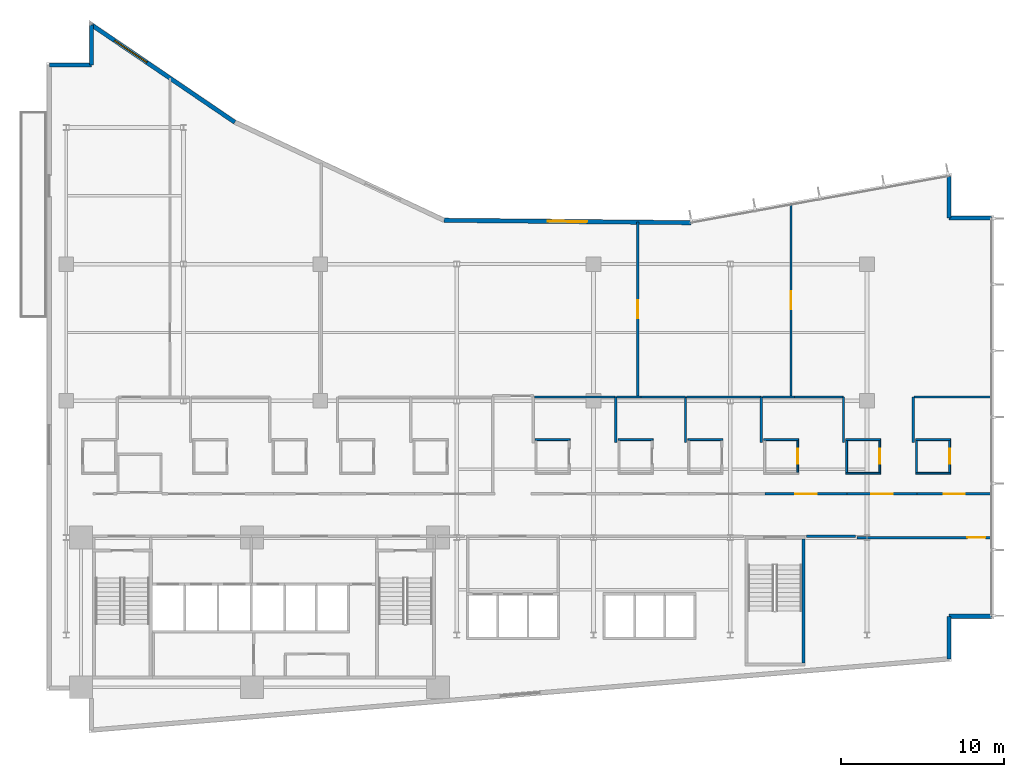
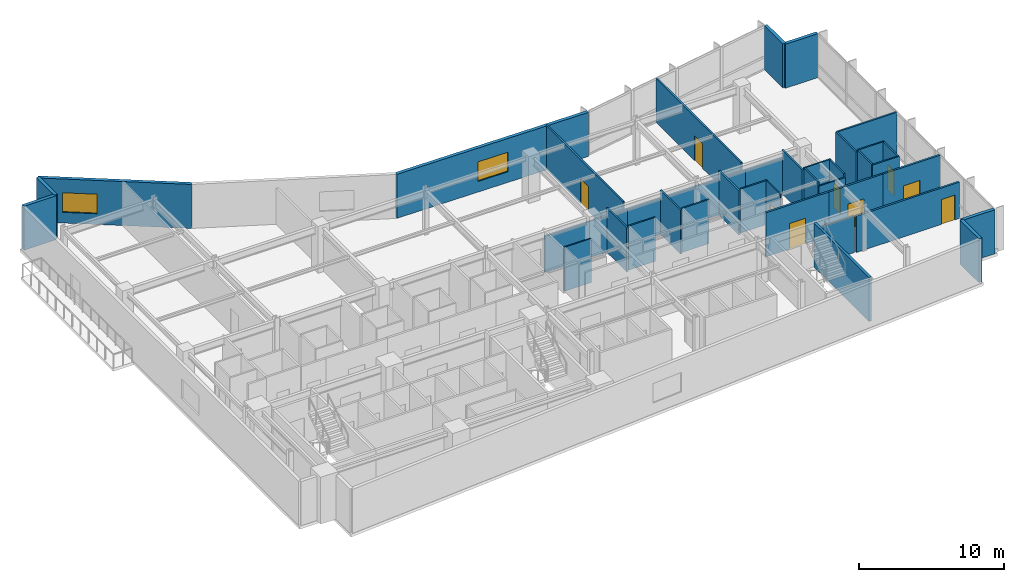
# One storey, part 15 of 21: 41 walls, 9 doors, 2 windows, 11 openings.
"""IFC4 building model written with IfcOpenShell, lengths in metres."""

from ifc_helpers import new_model, si_unit, direction, frame, frame_2d, origin, place, context, subcontext, project, spatial, rectangle, extrude, material, layer, layer_set, type_object, element, fill, save


model = new_model("IFC4")

# Units and contexts
model_context = context("Model", 3, precision=1e-05, world=origin(), true_north=direction((0.0, 1.0)))
body_context = subcontext(model_context, "Body", "Model", "MODEL_VIEW")
ifc_project = project(units=[si_unit("LENGTHUNIT", "METRE"), si_unit("AREAUNIT", "SQUARE_METRE"), si_unit("VOLUMEUNIT", "CUBIC_METRE"), si_unit("PLANEANGLEUNIT", "RADIAN"), si_unit("MASSUNIT", "GRAM", prefix="KILO")], contexts=[model_context])

# Site, building, storey
site_placement = place(None, origin())
site = spatial("IfcSite", under=ifc_project, at=site_placement, CompositionType="ELEMENT")
building_placement = place(site_placement, origin())
building = spatial("IfcBuilding", under=site, at=building_placement, Name="Varnakote Quay Hospital", CompositionType="ELEMENT")
storey_placement = place(building_placement, frame((0.0, 0.0, 38.300048828125)))
storey = spatial("IfcBuildingStorey", under=building, at=storey_placement, Name="L09", CompositionType="ELEMENT", Elevation=38.300048828125)

# Walls
ifc_material_1 = material(Name="Fire-rated acoustic gypsum stud wall", Category="gypsum")
ifc_layer_1 = layer(ifc_material_1, 0.159912109375)
ifc_layer_set_1 = layer_set([ifc_layer_1], Name="Fire-rated acoustic gypsum stud wall")
wall_type_1 = type_object("IfcWallType", Name="WL-COMP-160", PredefinedType="PARTITIONING", material=ifc_layer_set_1)
wall_1_placement = place(storey_placement, frame((46.689208984375, 12.080078125, 0.0), z_axis=(0.0, 0.0, 1.0), x_axis=(1.0, 0.0, 0.0)))
element("IfcWall", 1, at=wall_1_placement, inside=storey, type_object=wall_type_1, Name="L09 Corridor South Gap Wall", PredefinedType="PARTITIONING", context=body_context, shape_type="SweptSolid", body=[
    extrude(rectangle(XDim=3.0107421875, YDim=0.159912109375, at=frame_2d((1.50537109375, 0.0))), origin(), (0.0, 0.0, 1.0), 3.072998046875),
])
ifc_material_2 = material(Name="Moisture-resistant bathroom partition", Category="gypsum")
ifc_layer_2 = layer(ifc_material_2, 0.114990234375)
ifc_layer_set_2 = layer_set([ifc_layer_2], Name="Moisture-resistant bathroom partition")
wall_type_2 = type_object("IfcWallType", Name="WL-ENS-115", PredefinedType="PARTITIONING", material=ifc_layer_set_2)
wall_2_placement = place(storey_placement, frame((30.0048828125, 18.017578125, 0.0), z_axis=(0.0, 0.0, 1.0), x_axis=(1.0, 0.0, 0.0)))
element("IfcWall", 2, at=wall_2_placement, inside=storey, type_object=wall_type_2, Name="L09 Inpatient En-Suite Bathroom 06 N Wall", PredefinedType="PARTITIONING", context=body_context, shape_type="SweptSolid", body=[
    extrude(rectangle(XDim=2.150146484375, YDim=0.114990234375, at=frame_2d((1.0751953125, 0.0))), origin(), (0.0, 0.0, 1.0), 3.7099609375),
])
for number, where, z_axis, x_axis, name in (
    (3, (35.10498046875, 18.017578125, 0.0), (0.0, 0.0, 1.0), (1.0, 0.0, 0.0), "L09 Inpatient En-Suite Bathroom 07 N Wall"),
    (4, (39.39501953125, 18.017578125, 0.0), (0.0, 0.0, 1.0), (1.0, 0.0, 0.0), "L09 Inpatient En-Suite Bathroom 08 N Wall"),
):
    element("IfcWall", number, at=place(storey_placement, frame(where, z_axis=z_axis, x_axis=x_axis)), inside=storey, type_object=wall_type_2, Name=name, PredefinedType="PARTITIONING", context=body_context, shape_type="SweptSolid", body=[
        extrude(rectangle(XDim=2.14990234375, YDim=0.114990234375, at=frame_2d((1.074951171875, 0.0))), origin(), (0.0, 0.0, 1.0), 3.7099609375),
    ])
wall_3_placement = place(storey_placement, frame((44.054931640625, 18.017578125, 0.0), z_axis=(0.0, 0.0, 1.0), x_axis=(1.0, 0.0, 0.0)))
element("IfcWall", 5, at=wall_3_placement, inside=storey, type_object=wall_type_2, Name="L09 Inpatient En-Suite Bathroom 09 N Wall", PredefinedType="PARTITIONING", context=body_context, shape_type="SweptSolid", body=[
    extrude(rectangle(XDim=2.150146484375, YDim=0.114990234375, at=frame_2d((1.0751953125, 0.0))), origin(), (0.0, 0.0, 1.0), 3.7099609375),
])

# Wall, opening, door
wall_4_placement = place(storey_placement, frame((46.1474609375, 16.010009765625, 0.0), z_axis=(0.0, 0.0, 1.0), x_axis=(0.0, 1.0, 0.0)))
wall_4 = element("IfcWall", 6, at=wall_4_placement, inside=storey, type_object=wall_type_2, Name="L09 Inpatient En-Suite Bathroom 09 E Wall", PredefinedType="PARTITIONING", context=body_context, shape_type="SweptSolid", body=[
    extrude(rectangle(XDim=1.949951171875, YDim=0.114990234375, at=frame_2d((0.97509765625, 0.0))), origin(), (0.0, 0.0, 1.0), 3.7099609375),
])
opening_1_placement = place(wall_4_placement, frame((0.514892578125, 0.0, 0.0)))
opening_1 = element("IfcOpeningElement", 7, at=opening_1_placement, cuts=wall_4, Name="Opening D-L09-ENS09", PredefinedType="OPENING", context=body_context, shape_type="SweptSolid", body=[
    extrude(rectangle(XDim=0.919921875, YDim=2.10009765625, at=frame_2d((0.4599609375, 1.050048828125))), frame((0.0, 0.0673828125, 0.0), z_axis=(0.0, -1.0, 0.0), x_axis=(1.0, 0.0, 0.0)), (0.0, 0.0, 1.0), 0.135009765625),
])
ifc_material_3 = material(Name="Moisture-sealed en-suite bathroom door")
door_type_1 = type_object("IfcDoorType", Name="DR-ENS-920x2100", OperationType="NOTDEFINED", PredefinedType="DOOR", material=ifc_material_3)
door_1_placement = place(opening_1_placement, origin())
door_1 = element("IfcDoor", 8, at=door_1_placement, inside=storey, type_object=door_type_1, Name="L09 Inpatient En-Suite Bathroom 09 Door", OperationType="SINGLE_SWING_LEFT", OverallHeight=2.10009765625, OverallWidth=0.919921875, PredefinedType="DOOR", context=body_context, shape_type="SweptSolid", body=[
    extrude(rectangle(XDim=0.919921875, YDim=2.10009765625, at=frame_2d((0.4599609375, 1.050048828125))), frame((0.0, 0.02490234375, 0.0), z_axis=(0.0, -1.0, 0.0), x_axis=(1.0, 0.0, 0.0)), (0.0, 0.0, 1.0), 0.050048828125),
])
fill(opening_1, door_1)

# Walls
wall_5_placement = place(storey_placement, frame((49.094970703125, 15.952392578125, 0.0), z_axis=(0.0, 0.0, 1.0), x_axis=(1.0, 0.0, 0.0)))
element("IfcWall", 9, at=wall_5_placement, inside=storey, type_object=wall_type_2, Name="L09 Inpatient En-Suite Bathroom 10 S Wall", PredefinedType="PARTITIONING", context=body_context, shape_type="SweptSolid", body=[
    extrude(rectangle(XDim=2.150146484375, YDim=0.114990234375, at=frame_2d((1.0751953125, 0.0))), origin(), (0.0, 0.0, 1.0), 3.428955078125),
])
wall_6_placement = place(storey_placement, frame((49.094970703125, 18.017578125, 0.0), z_axis=(0.0, 0.0, 1.0), x_axis=(1.0, 0.0, 0.0)))
element("IfcWall", 10, at=wall_6_placement, inside=storey, type_object=wall_type_2, Name="L09 Inpatient En-Suite Bathroom 10 N Wall", PredefinedType="PARTITIONING", context=body_context, shape_type="SweptSolid", body=[
    extrude(rectangle(XDim=2.150146484375, YDim=0.114990234375, at=frame_2d((1.0751953125, 0.0))), origin(), (0.0, 0.0, 1.0), 3.7099609375),
])
wall_7_placement = place(storey_placement, frame((49.152587890625, 16.010009765625, 0.0), z_axis=(0.0, 0.0, 1.0), x_axis=(0.0, 1.0, 0.0)))
element("IfcWall", 11, at=wall_7_placement, inside=storey, type_object=wall_type_2, Name="L09 Inpatient En-Suite Bathroom 10 W Wall", PredefinedType="PARTITIONING", context=body_context, shape_type="SweptSolid", body=[
    extrude(rectangle(XDim=1.949951171875, YDim=0.114990234375, at=frame_2d((0.97509765625, 0.0))), origin(), (0.0, 0.0, 1.0), 3.7099609375),
])

# Wall, opening, door
wall_8_placement = place(storey_placement, frame((51.1875, 16.010009765625, 0.0), z_axis=(0.0, 0.0, 1.0), x_axis=(0.0, 1.0, 0.0)))
wall_8 = element("IfcWall", 12, at=wall_8_placement, inside=storey, type_object=wall_type_2, Name="L09 Inpatient En-Suite Bathroom 10 E Wall", PredefinedType="PARTITIONING", context=body_context, shape_type="SweptSolid", body=[
    extrude(rectangle(XDim=1.949951171875, YDim=0.114990234375, at=frame_2d((0.97509765625, 0.0))), origin(), (0.0, 0.0, 1.0), 3.7099609375),
])
opening_2_placement = place(wall_8_placement, frame((0.514892578125, 0.0, 0.0)))
opening_2 = element("IfcOpeningElement", 13, at=opening_2_placement, cuts=wall_8, Name="Opening D-L09-ENS10", PredefinedType="OPENING", context=body_context, shape_type="SweptSolid", body=[
    extrude(rectangle(XDim=0.919921875, YDim=2.10009765625, at=frame_2d((0.4599609375, 1.050048828125))), frame((0.0, 0.0673828125, 0.0), z_axis=(0.0, -1.0, 0.0), x_axis=(1.0, 0.0, 0.0)), (0.0, 0.0, 1.0), 0.135009765625),
])
door_2_placement = place(opening_2_placement, origin())
door_2 = element("IfcDoor", 14, at=door_2_placement, inside=storey, type_object=door_type_1, Name="L09 Inpatient En-Suite Bathroom 10 Door", OperationType="SINGLE_SWING_RIGHT", OverallHeight=2.10009765625, OverallWidth=0.919921875, PredefinedType="DOOR", context=body_context, shape_type="SweptSolid", body=[
    extrude(rectangle(XDim=0.919921875, YDim=2.10009765625, at=frame_2d((0.4599609375, 1.050048828125))), frame((0.0, 0.02490234375, 0.0), z_axis=(0.0, -1.0, 0.0), x_axis=(1.0, 0.0, 0.0)), (0.0, 0.0, 1.0), 0.050048828125),
])
fill(opening_2, door_2)

# Walls
for number, where, z_axis, x_axis, name in (
    (15, (53.385009765625, 15.952392578125, 0.0), (0.0, 0.0, 1.0), (1.0, 0.0, 0.0), "L09 Inpatient En-Suite Bathroom 11 S Wall"),
    (16, (53.385009765625, 18.017578125, 0.0), (0.0, 0.0, 1.0), (1.0, 0.0, 0.0), "L09 Inpatient En-Suite Bathroom 11 N Wall"),
):
    element("IfcWall", number, at=place(storey_placement, frame(where, z_axis=z_axis, x_axis=x_axis)), inside=storey, type_object=wall_type_2, Name=name, PredefinedType="PARTITIONING", context=body_context, shape_type="SweptSolid", body=[
        extrude(rectangle(XDim=2.14990234375, YDim=0.114990234375, at=frame_2d((1.074951171875, 0.0))), origin(), (0.0, 0.0, 1.0), 3.7099609375),
    ])
wall_9_placement = place(storey_placement, frame((53.4423828125, 16.010009765625, 0.0), z_axis=(0.0, 0.0, 1.0), x_axis=(0.0, 1.0, 0.0)))
element("IfcWall", 17, at=wall_9_placement, inside=storey, type_object=wall_type_2, Name="L09 Inpatient En-Suite Bathroom 11 W Wall", PredefinedType="PARTITIONING", context=body_context, shape_type="SweptSolid", body=[
    extrude(rectangle(XDim=1.949951171875, YDim=0.114990234375, at=frame_2d((0.97509765625, 0.0))), origin(), (0.0, 0.0, 1.0), 3.7099609375),
])

# Wall, opening, door
wall_10_placement = place(storey_placement, frame((55.4775390625, 16.010009765625, 0.0), z_axis=(0.0, 0.0, 1.0), x_axis=(0.0, 1.0, 0.0)))
wall_10 = element("IfcWall", 18, at=wall_10_placement, inside=storey, type_object=wall_type_2, Name="L09 Inpatient En-Suite Bathroom 11 E Wall", PredefinedType="PARTITIONING", context=body_context, shape_type="SweptSolid", body=[
    extrude(rectangle(XDim=1.949951171875, YDim=0.114990234375, at=frame_2d((0.97509765625, 0.0))), origin(), (0.0, 0.0, 1.0), 3.7099609375),
])
opening_3_placement = place(wall_10_placement, frame((0.514892578125, 0.0, 0.0)))
opening_3 = element("IfcOpeningElement", 19, at=opening_3_placement, cuts=wall_10, Name="Opening D-L09-ENS11", PredefinedType="OPENING", context=body_context, shape_type="SweptSolid", body=[
    extrude(rectangle(XDim=0.919921875, YDim=2.10009765625, at=frame_2d((0.4599609375, 1.050048828125))), frame((0.0, 0.0673828125, 0.0), z_axis=(0.0, -1.0, 0.0), x_axis=(1.0, 0.0, 0.0)), (0.0, 0.0, 1.0), 0.135009765625),
])
door_3_placement = place(opening_3_placement, origin())
door_3 = element("IfcDoor", 20, at=door_3_placement, inside=storey, type_object=door_type_1, Name="L09 Inpatient En-Suite Bathroom 11 Door", OperationType="SINGLE_SWING_LEFT", OverallHeight=2.10009765625, OverallWidth=0.919921875, PredefinedType="DOOR", context=body_context, shape_type="SweptSolid", body=[
    extrude(rectangle(XDim=0.919921875, YDim=2.10009765625, at=frame_2d((0.4599609375, 1.050048828125))), frame((0.0, 0.02490234375, 0.0), z_axis=(0.0, -1.0, 0.0), x_axis=(1.0, 0.0, 0.0)), (0.0, 0.0, 1.0), 0.050048828125),
])
fill(opening_3, door_3)

# Walls
ifc_material_4 = material(Name="Precast concrete N50 (f'c 50 MPa)", Category="concrete")
ifc_layer_3 = layer(ifc_material_4, 0.260009765625)
ifc_layer_set_3 = layer_set([ifc_layer_3], Name="Precast concrete N50 (f'c 50 MPa)")
wall_type_3 = type_object("IfcWallType", Name="WL-EXT-BRICK-260", PredefinedType="STANDARD", material=ifc_layer_set_3)
wall_11_placement = place(storey_placement, frame((55.43994140625, 4.54736328125, 0.0), z_axis=(0.0, 0.0, 1.0), x_axis=(0.0, 1.0, 0.0)))
element("IfcWall", 21, at=wall_11_placement, inside=storey, type_object=wall_type_3, Name="L09 Brick-Faced Precast Exterior Wall", PredefinedType="STANDARD", context=body_context, shape_type="SweptSolid", body=[
    extrude(rectangle(XDim=2.612548828125, YDim=0.260009765625, at=frame_2d((1.30615234375, 0.0))), origin(), (0.0, 0.0, 1.0), 3.7099609375),
])
for number, where, z_axis, x_axis, name in (
    (22, (55.43994140625, 7.159912109375, 0.0), (0.0, 0.0, 1.0), (1.0, 0.0, 0.0), "L09 Brick-Faced Precast Exterior Wall"),
    (23, (58.0400390625, 31.639892578125, 0.0), (0.0, 0.0, 1.0), (-1.0, 0.0, 0.0), "L09 Brick-Faced Precast Exterior Wall"),
):
    element("IfcWall", number, at=place(storey_placement, frame(where, z_axis=z_axis, x_axis=x_axis)), inside=storey, type_object=wall_type_3, Name=name, PredefinedType="STANDARD", context=body_context, shape_type="SweptSolid", body=[
        extrude(rectangle(XDim=2.60009765625, YDim=0.260009765625, at=frame_2d((1.300048828125, 0.0))), origin(), (0.0, 0.0, 1.0), 3.7099609375),
    ])
wall_12_placement = place(storey_placement, frame((55.43994140625, 31.639892578125, 0.0), z_axis=(0.0, 0.0, 1.0), x_axis=(0.0, 1.0, 0.0)))
element("IfcWall", 24, at=wall_12_placement, inside=storey, type_object=wall_type_3, Name="L09 Brick-Faced Precast Exterior Wall", PredefinedType="STANDARD", context=body_context, shape_type="SweptSolid", body=[
    extrude(rectangle(XDim=2.568603515625, YDim=0.260009765625, at=frame_2d((1.2841796875, 0.0))), origin(), (0.0, 0.0, 1.0), 3.7099609375),
])

# Wall, opening, window
wall_13_placement = place(storey_placement, frame((39.589599609375, 31.343994140625, 0.0), z_axis=(0.0, 0.0, 1.0), x_axis=(-0.999952362926, 0.009760731435, 0.0)))
wall_13 = element("IfcWall", 25, at=wall_13_placement, inside=storey, type_object=wall_type_3, Name="L09 Brick-Faced Precast Exterior Wall", PredefinedType="STANDARD", context=body_context, shape_type="SweptSolid", body=[
    extrude(rectangle(XDim=15.1826171875, YDim=0.260009765625, at=frame_2d((7.59130859375, 0.0))), origin(), (0.0, 0.0, 1.0), 3.7099609375),
])
opening_4_placement = place(wall_13_placement, frame((6.391357421875, 0.0, 0.89990234375)))
opening_4 = element("IfcOpeningElement", 26, at=opening_4_placement, cuts=wall_13, Name="Opening WN-0051", PredefinedType="OPENING", context=body_context, shape_type="SweptSolid", body=[
    extrude(rectangle(XDim=2.39990234375, YDim=1.64990234375, at=frame_2d((1.199951171875, 0.824951171875))), frame((0.0, 0.139892578125, 0.0), z_axis=(0.0, -1.0, 0.0), x_axis=(1.0, 0.0, 0.0)), (0.0, 0.0, 1.0), 0.280029296875),
])
ifc_material_5 = material(Name="Double-glazed low-E solar glass", Category="glass")
window_type = type_object("IfcWindowType", Name="WIN-CLIN-2400x1650", PartitioningType="SINGLE_PANEL", PredefinedType="WINDOW", material=ifc_material_5)
window_1_placement = place(opening_4_placement, origin())
window_1 = element("IfcWindow", 27, at=window_1_placement, inside=storey, type_object=window_type, Name="L09 Solar-Control Clinical Window", OverallHeight=1.64990234375, OverallWidth=2.39990234375, PartitioningType="SINGLE_PANEL", PredefinedType="WINDOW", context=body_context, shape_type="SweptSolid", body=[
    extrude(rectangle(XDim=2.39990234375, YDim=1.64990234375, at=frame_2d((1.199951171875, 0.824951171875))), frame((0.0, 0.030029296875, 0.0), z_axis=(0.0, -1.0, 0.0), x_axis=(1.0, 0.0, 0.0)), (0.0, 0.0, 1.0), 0.06005859375),
])
fill(opening_4, window_1)

wall_14_placement = place(storey_placement, frame((11.560546875, 37.5166015625, 0.0), z_axis=(0.0, 0.0, 1.0), x_axis=(-0.827064743936, 0.562106670782, 0.0)))
wall_14 = element("IfcWall", 28, at=wall_14_placement, inside=storey, type_object=wall_type_3, Name="L09 Brick-Faced Precast Exterior Wall", PredefinedType="STANDARD", context=body_context, shape_type="SweptSolid", body=[
    extrude(rectangle(XDim=10.640625, YDim=0.260009765625, at=frame_2d((5.3203125, 0.0))), origin(), (0.0, 0.0, 1.0), 3.7099609375),
])
opening_5_placement = place(wall_14_placement, frame((6.536865234375, 0.0, 0.89990234375)))
opening_5 = element("IfcOpeningElement", 29, at=opening_5_placement, cuts=wall_14, Name="Opening WN-0053", PredefinedType="OPENING", context=body_context, shape_type="SweptSolid", body=[
    extrude(rectangle(XDim=2.39990234375, YDim=1.64990234375, at=frame_2d((1.199951171875, 0.824951171875))), frame((0.0, 0.139892578125, 0.0), z_axis=(0.0, -1.0, 0.0), x_axis=(1.0, 0.0, 0.0)), (0.0, 0.0, 1.0), 0.280029296875),
])
window_2_placement = place(opening_5_placement, origin())
window_2 = element("IfcWindow", 30, at=window_2_placement, inside=storey, type_object=window_type, Name="L09 Solar-Control Clinical Window", OverallHeight=1.64990234375, OverallWidth=2.39990234375, PartitioningType="SINGLE_PANEL", PredefinedType="WINDOW", context=body_context, shape_type="SweptSolid", body=[
    extrude(rectangle(XDim=2.39990234375, YDim=1.64990234375, at=frame_2d((1.199951171875, 0.824951171875))), frame((0.0, 0.030029296875, 0.0), z_axis=(0.0, -1.0, 0.0), x_axis=(1.0, 0.0, 0.0)), (0.0, 0.0, 1.0), 0.06005859375),
])
fill(opening_5, window_2)

# Walls
wall_15_placement = place(storey_placement, frame((2.760009765625, 43.497802734375, 0.0), z_axis=(0.0, 0.0, 1.0), x_axis=(0.0, -1.0, 0.0)))
element("IfcWall", 31, at=wall_15_placement, inside=storey, type_object=wall_type_3, Name="L09 Brick-Faced Precast Exterior Wall", PredefinedType="STANDARD", context=body_context, shape_type="SweptSolid", body=[
    extrude(rectangle(XDim=2.457763671875, YDim=0.260009765625, at=frame_2d((1.22900390625, 0.0))), origin(), (0.0, 0.0, 1.0), 3.7099609375),
])
wall_16_placement = place(storey_placement, frame((2.760009765625, 41.0400390625, 0.0), z_axis=(0.0, 0.0, 1.0), x_axis=(-1.0, 0.0, 0.0)))
element("IfcWall", 32, at=wall_16_placement, inside=storey, type_object=wall_type_3, Name="L09 Brick-Faced Precast Exterior Wall", PredefinedType="STANDARD", context=body_context, shape_type="SweptSolid", body=[
    extrude(rectangle(XDim=2.60009765625, YDim=0.260009765625, at=frame_2d((1.300048828125, 0.0))), origin(), (0.0, 0.0, 1.0), 3.7099609375),
])
ifc_material_6 = material(Name="Concrete N50 (f'c 50 MPa)", Category="concrete")
ifc_layer_4 = layer(ifc_material_6, 0.199951171875)
ifc_layer_set_4 = layer_set([ifc_layer_4], Name="Concrete N50 (f'c 50 MPa)")
wall_type_4 = type_object("IfcWallType", Name="WL-SHAFT-N50-200", PredefinedType="SHEAR", material=ifc_layer_set_4)
wall_17_placement = place(storey_placement, frame((46.5, 4.300048828125, 0.0), z_axis=(0.0, 0.0, 1.0), x_axis=(0.0, 1.0, 0.0)))
element("IfcWall", 33, at=wall_17_placement, inside=storey, type_object=wall_type_4, Name="L09 Stair ST3 East Shaft Wall", PredefinedType="SHEAR", context=body_context, shape_type="SweptSolid", body=[
    extrude(rectangle(XDim=7.599853515625, YDim=0.199951171875, at=frame_2d((3.7998046875, 0.0))), origin(), (0.0, 0.0, 1.0), 3.7099609375),
])
ifc_material_7 = material(Name="Smoke-proof clinical partition", Category="gypsum")
ifc_layer_5 = layer(ifc_material_7, 0.135009765625)
ifc_layer_set_5 = layer_set([ifc_layer_5], Name="Smoke-proof clinical partition")
wall_type_5 = type_object("IfcWallType", Name="WL-SMOKE-135", PredefinedType="PARTITIONING", material=ifc_layer_set_5)
wall_18_placement = place(storey_placement, frame((34.9599609375, 17.83251953125, 0.0), z_axis=(0.0, 0.0, 1.0), x_axis=(0.0, 1.0, 0.0)))
element("IfcWall", 34, at=wall_18_placement, inside=storey, type_object=wall_type_5, Name="L09 Clinical Interior Partition", PredefinedType="PARTITIONING", context=body_context, shape_type="SweptSolid", body=[
    extrude(rectangle(XDim=2.807373046875, YDim=0.135009765625, at=frame_2d((1.40380859375, 0.0))), origin(), (0.0, 0.0, 1.0), 3.7099609375),
])
wall_19_placement = place(storey_placement, frame((34.9599609375, 20.639892578125, 0.0), z_axis=(0.0, 0.0, 1.0), x_axis=(-1.0, 0.0, 0.0)))
element("IfcWall", 35, at=wall_19_placement, inside=storey, type_object=wall_type_5, Name="L09 Clinical Interior Partition", PredefinedType="PARTITIONING", context=body_context, shape_type="SweptSolid", body=[
    extrude(rectangle(XDim=4.994873046875, YDim=0.135009765625, at=frame_2d((2.49755859375, 0.0))), origin(), (0.0, 0.0, 1.0), 3.072998046875),
])
wall_20_placement = place(storey_placement, frame((39.25, 17.83251953125, 0.0), z_axis=(0.0, 0.0, 1.0), x_axis=(0.0, 1.0, 0.0)))
element("IfcWall", 36, at=wall_20_placement, inside=storey, type_object=wall_type_5, Name="L09 Clinical Interior Partition", PredefinedType="PARTITIONING", context=body_context, shape_type="SweptSolid", body=[
    extrude(rectangle(XDim=2.807373046875, YDim=0.135009765625, at=frame_2d((1.40380859375, 0.0))), origin(), (0.0, 0.0, 1.0), 3.7099609375),
])
wall_21_placement = place(storey_placement, frame((36.527587890625, 20.639892578125, 0.0), z_axis=(0.0, 0.0, 1.0), x_axis=(-1.0, 0.0, 0.0)))
element("IfcWall", 37, at=wall_21_placement, inside=storey, type_object=wall_type_5, Name="L09 Clinical Interior Partition", PredefinedType="PARTITIONING", context=body_context, shape_type="SweptSolid", body=[
    extrude(rectangle(XDim=1.510009765625, YDim=0.135009765625, at=frame_2d((0.7548828125, 0.0))), origin(), (0.0, 0.0, 1.0), 3.072998046875),
])
wall_22_placement = place(storey_placement, frame((39.25, 20.639892578125, 0.0), z_axis=(0.0, 0.0, 1.0), x_axis=(-1.0, 0.0, 0.0)))
element("IfcWall", 38, at=wall_22_placement, inside=storey, type_object=wall_type_5, Name="L09 Clinical Interior Partition", PredefinedType="PARTITIONING", context=body_context, shape_type="SweptSolid", body=[
    extrude(rectangle(XDim=2.720458984375, YDim=0.135009765625, at=frame_2d((1.3603515625, 0.0))), origin(), (0.0, 0.0, 1.0), 3.072998046875),
])
wall_23_placement = place(storey_placement, frame((43.909912109375, 17.83251953125, 0.0), z_axis=(0.0, 0.0, 1.0), x_axis=(0.0, 1.0, 0.0)))
element("IfcWall", 39, at=wall_23_placement, inside=storey, type_object=wall_type_5, Name="L09 Clinical Interior Partition", PredefinedType="PARTITIONING", context=body_context, shape_type="SweptSolid", body=[
    extrude(rectangle(XDim=2.807373046875, YDim=0.135009765625, at=frame_2d((1.40380859375, 0.0))), origin(), (0.0, 0.0, 1.0), 3.7099609375),
])
wall_24_placement = place(storey_placement, frame((43.909912109375, 20.639892578125, 0.0), z_axis=(0.0, 0.0, 1.0), x_axis=(-1.0, 0.0, 0.0)))
element("IfcWall", 40, at=wall_24_placement, inside=storey, type_object=wall_type_5, Name="L09 Clinical Interior Partition", PredefinedType="PARTITIONING", context=body_context, shape_type="SweptSolid", body=[
    extrude(rectangle(XDim=4.602294921875, YDim=0.135009765625, at=frame_2d((2.30126953125, 0.0))), origin(), (0.0, 0.0, 1.0), 3.072998046875),
])
wall_25_placement = place(storey_placement, frame((48.949951171875, 17.83251953125, 0.0), z_axis=(0.0, 0.0, 1.0), x_axis=(0.0, 1.0, 0.0)))
element("IfcWall", 41, at=wall_25_placement, inside=storey, type_object=wall_type_5, Name="L09 Clinical Interior Partition", PredefinedType="PARTITIONING", context=body_context, shape_type="SweptSolid", body=[
    extrude(rectangle(XDim=2.807373046875, YDim=0.135009765625, at=frame_2d((1.40380859375, 0.0))), origin(), (0.0, 0.0, 1.0), 3.7099609375),
])
wall_26_placement = place(storey_placement, frame((45.9375, 20.639892578125, 0.0), z_axis=(0.0, 0.0, 1.0), x_axis=(-1.0, 0.0, 0.0)))
element("IfcWall", 42, at=wall_26_placement, inside=storey, type_object=wall_type_5, Name="L09 Clinical Interior Partition", PredefinedType="PARTITIONING", context=body_context, shape_type="SweptSolid", body=[
    extrude(rectangle(XDim=1.969970703125, YDim=0.135009765625, at=frame_2d((0.98486328125, 0.0))), origin(), (0.0, 0.0, 1.0), 3.072998046875),
])
wall_27_placement = place(storey_placement, frame((48.949951171875, 20.639892578125, 0.0), z_axis=(0.0, 0.0, 1.0), x_axis=(-1.0, 0.0, 0.0)))
element("IfcWall", 43, at=wall_27_placement, inside=storey, type_object=wall_type_5, Name="L09 Clinical Interior Partition", PredefinedType="PARTITIONING", context=body_context, shape_type="SweptSolid", body=[
    extrude(rectangle(XDim=3.010498046875, YDim=0.135009765625, at=frame_2d((1.50537109375, 0.0))), origin(), (0.0, 0.0, 1.0), 3.072998046875),
])
wall_28_placement = place(storey_placement, frame((53.239990234375, 17.83251953125, 0.0), z_axis=(0.0, 0.0, 1.0), x_axis=(0.0, 1.0, 0.0)))
element("IfcWall", 44, at=wall_28_placement, inside=storey, type_object=wall_type_5, Name="L09 Clinical Interior Partition", PredefinedType="PARTITIONING", context=body_context, shape_type="SweptSolid", body=[
    extrude(rectangle(XDim=2.807373046875, YDim=0.135009765625, at=frame_2d((1.40380859375, 0.0))), origin(), (0.0, 0.0, 1.0), 3.7099609375),
])
wall_29_placement = place(storey_placement, frame((58.0400390625, 20.639892578125, 0.0), z_axis=(0.0, 0.0, 1.0), x_axis=(-1.0, 0.0, 0.0)))
element("IfcWall", 45, at=wall_29_placement, inside=storey, type_object=wall_type_5, Name="L09 Clinical Interior Partition", PredefinedType="PARTITIONING", context=body_context, shape_type="SweptSolid", body=[
    extrude(rectangle(XDim=4.742431640625, YDim=0.135009765625, at=frame_2d((2.37109375, 0.0))), origin(), (0.0, 0.0, 1.0), 3.7099609375),
])

# Wall, opening, door
wall_30_placement = place(storey_placement, frame((36.320068359375, 20.697509765625, 0.0), z_axis=(0.0, 0.0, 1.0), x_axis=(0.0, 1.0, 0.0)))
wall_30 = element("IfcWall", 46, at=wall_30_placement, inside=storey, type_object=wall_type_5, Name="L09 Clinical Interior Partition", PredefinedType="PARTITIONING", context=body_context, shape_type="SweptSolid", body=[
    extrude(rectangle(XDim=10.67822265625, YDim=0.135009765625, at=frame_2d((5.339111328125, 0.0))), origin(), (0.0, 0.0, 1.0), 3.7099609375),
])
opening_6_placement = place(wall_30_placement, frame((4.789306640625, 0.0, 0.0)))
opening_6 = element("IfcOpeningElement", 47, at=opening_6_placement, cuts=wall_30, Name="Opening D-L09-MD03", PredefinedType="OPENING", context=body_context, shape_type="SweptSolid", body=[
    extrude(rectangle(XDim=1.10009765625, YDim=2.10009765625, at=frame_2d((0.550048828125, 1.050048828125))), frame((0.0, 0.077392578125, 0.0), z_axis=(0.0, -1.0, 0.0), x_axis=(1.0, 0.0, 0.0)), (0.0, 0.0, 1.0), 0.155029296875),
])
ifc_material_8 = material(Name="Acoustic timber clinical consult door", Category="wood")
door_type_2 = type_object("IfcDoorType", Name="DR-CLIN-FD30S-1100x2100", OperationType="NOTDEFINED", PredefinedType="DOOR", material=ifc_material_8)
door_4_placement = place(opening_6_placement, origin())
door_4 = element("IfcDoor", 48, at=door_4_placement, inside=storey, type_object=door_type_2, Name="L09 Acute Sub-Intensive Treatment Suite Door", OperationType="SINGLE_SWING_RIGHT", OverallHeight=2.10009765625, OverallWidth=1.10009765625, PredefinedType="DOOR", context=body_context, shape_type="SweptSolid", body=[
    extrude(rectangle(XDim=1.10009765625, YDim=2.10009765625, at=frame_2d((0.550048828125, 1.050048828125))), frame((0.0, 0.02490234375, 0.0), z_axis=(0.0, -1.0, 0.0), x_axis=(1.0, 0.0, 0.0)), (0.0, 0.0, 1.0), 0.050048828125),
])
fill(opening_6, door_4)

wall_31_placement = place(storey_placement, frame((45.72998046875, 20.697509765625, 0.0), z_axis=(0.0, 0.0, 1.0), x_axis=(0.0, 1.0, 0.0)))
wall_31 = element("IfcWall", 49, at=wall_31_placement, inside=storey, type_object=wall_type_5, Name="L09 Clinical Interior Partition", PredefinedType="PARTITIONING", context=body_context, shape_type="SweptSolid", body=[
    extrude(rectangle(XDim=11.756103515625, YDim=0.135009765625, at=frame_2d((5.8779296875, 0.0))), origin(), (0.0, 0.0, 1.0), 3.7099609375),
])
opening_7_placement = place(wall_31_placement, frame((5.328125, 0.0, 0.0)))
opening_7 = element("IfcOpeningElement", 50, at=opening_7_placement, cuts=wall_31, Name="Opening D-L09-MD04", PredefinedType="OPENING", context=body_context, shape_type="SweptSolid", body=[
    extrude(rectangle(XDim=1.10009765625, YDim=2.10009765625, at=frame_2d((0.550048828125, 1.050048828125))), frame((0.0, 0.077392578125, 0.0), z_axis=(0.0, -1.0, 0.0), x_axis=(1.0, 0.0, 0.0)), (0.0, 0.0, 1.0), 0.155029296875),
])
door_5_placement = place(opening_7_placement, origin())
door_5 = element("IfcDoor", 51, at=door_5_placement, inside=storey, type_object=door_type_2, Name="L09 Multidisciplinary Handover Meeting Room Door", OperationType="SINGLE_SWING_LEFT", OverallHeight=2.10009765625, OverallWidth=1.10009765625, PredefinedType="DOOR", context=body_context, shape_type="SweptSolid", body=[
    extrude(rectangle(XDim=1.10009765625, YDim=2.10009765625, at=frame_2d((0.550048828125, 1.050048828125))), frame((0.0, 0.02490234375, 0.0), z_axis=(0.0, -1.0, 0.0), x_axis=(1.0, 0.0, 0.0)), (0.0, 0.0, 1.0), 0.050048828125),
])
fill(opening_7, door_5)

ifc_material_9 = material(Name="Fire-rated clinical gypsum partition", Category="gypsum")
ifc_layer_6 = layer(ifc_material_9, 0.14990234375)
ifc_layer_set_6 = layer_set([ifc_layer_6], Name="Fire-rated clinical gypsum partition")
wall_type_6 = type_object("IfcWallType", Name="WL-WARD-150", PredefinedType="PARTITIONING", material=ifc_layer_set_6)
wall_32_placement = place(storey_placement, frame((58.0400390625, 12.0, 0.0), z_axis=(0.0, 0.0, 1.0), x_axis=(-1.0, 0.0, 0.0)))
wall_32 = element("IfcWall", 52, at=wall_32_placement, inside=storey, type_object=wall_type_6, Name="L09 Clinical Interior Partition", PredefinedType="PARTITIONING", context=body_context, shape_type="SweptSolid", body=[
    extrude(rectangle(XDim=8.239990234375, YDim=0.14990234375, at=frame_2d((4.1201171875, 0.0))), origin(), (0.0, 0.0, 1.0), 3.072998046875),
])
opening_8_placement = place(wall_32_placement, frame((0.368408203125, 0.0, 0.0)))
opening_8 = element("IfcOpeningElement", 53, at=opening_8_placement, cuts=wall_32, Name="Opening D-L09-SE1", PredefinedType="OPENING", context=body_context, shape_type="SweptSolid", body=[
    extrude(rectangle(XDim=1.10009765625, YDim=2.10009765625, at=frame_2d((0.550048828125, 1.050048828125))), frame((0.0, 0.0849609375, 0.0), z_axis=(0.0, -1.0, 0.0), x_axis=(1.0, 0.0, 0.0)), (0.0, 0.0, 1.0), 0.169921875),
])
door_6_placement = place(opening_8_placement, origin())
door_6 = element("IfcDoor", 54, at=door_6_placement, inside=storey, type_object=door_type_2, Name="L09 Clinical Biomedical Engineering Office Door", OperationType="SINGLE_SWING_RIGHT", OverallHeight=2.10009765625, OverallWidth=1.10009765625, PredefinedType="DOOR", context=body_context, shape_type="SweptSolid", body=[
    extrude(rectangle(XDim=1.10009765625, YDim=2.10009765625, at=frame_2d((0.550048828125, 1.050048828125))), frame((0.0, 0.02490234375, 0.0), z_axis=(0.0, -1.0, 0.0), x_axis=(1.0, 0.0, 0.0)), (0.0, 0.0, 1.0), 0.050048828125),
])
fill(opening_8, door_6)

wall_33_placement = place(storey_placement, frame((49.176025390625, 14.679931640625, 0.0), z_axis=(0.0, 0.0, 1.0), x_axis=(-1.0, 0.0, 0.0)))
wall_33 = element("IfcWall", 55, at=wall_33_placement, inside=storey, type_object=wall_type_6, Name="L09 Clinical Interior Partition", PredefinedType="PARTITIONING", context=body_context, shape_type="SweptSolid", body=[
    extrude(rectangle(XDim=5.0380859375, YDim=0.14990234375, at=frame_2d((2.51904296875, 0.0))), origin(), (0.0, 0.0, 1.0), 3.7099609375),
])
opening_9_placement = place(wall_33_placement, frame((1.868896484375, 0.0, 0.0)))
opening_9 = element("IfcOpeningElement", 56, at=opening_9_placement, cuts=wall_33, Name="Opening D-L09-BR09", PredefinedType="OPENING", context=body_context, shape_type="SweptSolid", body=[
    extrude(rectangle(XDim=1.300048828125, YDim=2.14990234375, at=frame_2d((0.64990234375, 1.074951171875))), frame((0.0, 0.0849609375, 0.0), z_axis=(0.0, -1.0, 0.0), x_axis=(1.0, 0.0, 0.0)), (0.0, 0.0, 1.0), 0.169921875),
])
ifc_material_10 = material(Name="Solid-core timber clinical bed door", Category="wood")
door_type_3 = type_object("IfcDoorType", Name="DR-WARD-FD30S-1300x2150", OperationType="NOTDEFINED", PredefinedType="DOOR", material=ifc_material_10)
door_7_placement = place(opening_9_placement, origin())
door_7 = element("IfcDoor", 57, at=door_7_placement, inside=storey, type_object=door_type_3, Name="L09 Resident Care Bedroom 09 Door", OperationType="SINGLE_SWING_RIGHT", OverallHeight=2.14990234375, OverallWidth=1.300048828125, PredefinedType="DOOR", context=body_context, shape_type="SweptSolid", body=[
    extrude(rectangle(XDim=1.300048828125, YDim=2.14990234375, at=frame_2d((0.64990234375, 1.074951171875))), frame((0.0, 0.02490234375, 0.0), z_axis=(0.0, -1.0, 0.0), x_axis=(1.0, 0.0, 0.0)), (0.0, 0.0, 1.0), 0.050048828125),
])
fill(opening_9, door_7)

wall_34_placement = place(storey_placement, frame((53.466064453125, 14.679931640625, 0.0), z_axis=(0.0, 0.0, 1.0), x_axis=(-1.0, 0.0, 0.0)))
wall_34 = element("IfcWall", 58, at=wall_34_placement, inside=storey, type_object=wall_type_6, Name="L09 Clinical Interior Partition", PredefinedType="PARTITIONING", context=body_context, shape_type="SweptSolid", body=[
    extrude(rectangle(XDim=4.2880859375, YDim=0.14990234375, at=frame_2d((2.14404296875, 0.0))), origin(), (0.0, 0.0, 1.0), 3.7099609375),
])
opening_10_placement = place(wall_34_placement, frame((1.493896484375, 0.0, 0.0)))
opening_10 = element("IfcOpeningElement", 59, at=opening_10_placement, cuts=wall_34, Name="Opening D-L09-BR10", PredefinedType="OPENING", context=body_context, shape_type="SweptSolid", body=[
    extrude(rectangle(XDim=1.300048828125, YDim=2.14990234375, at=frame_2d((0.64990234375, 1.074951171875))), frame((0.0, 0.0849609375, 0.0), z_axis=(0.0, -1.0, 0.0), x_axis=(1.0, 0.0, 0.0)), (0.0, 0.0, 1.0), 0.169921875),
])
door_8_placement = place(opening_10_placement, origin())
door_8 = element("IfcDoor", 60, at=door_8_placement, inside=storey, type_object=door_type_3, Name="L09 Resident Care Bedroom 10 Door", OperationType="SINGLE_SWING_LEFT", OverallHeight=2.14990234375, OverallWidth=1.300048828125, PredefinedType="DOOR", context=body_context, shape_type="SweptSolid", body=[
    extrude(rectangle(XDim=1.300048828125, YDim=2.14990234375, at=frame_2d((0.64990234375, 1.074951171875))), frame((0.0, 0.02490234375, 0.0), z_axis=(0.0, -1.0, 0.0), x_axis=(1.0, 0.0, 0.0)), (0.0, 0.0, 1.0), 0.050048828125),
])
fill(opening_10, door_8)

wall_35_placement = place(storey_placement, frame((58.0400390625, 14.679931640625, 0.0), z_axis=(0.0, 0.0, 1.0), x_axis=(-1.0, 0.0, 0.0)))
wall_35 = element("IfcWall", 61, at=wall_35_placement, inside=storey, type_object=wall_type_6, Name="L09 Clinical Interior Partition", PredefinedType="PARTITIONING", context=body_context, shape_type="SweptSolid", body=[
    extrude(rectangle(XDim=4.572021484375, YDim=0.14990234375, at=frame_2d((2.2861328125, 0.0))), origin(), (0.0, 0.0, 1.0), 3.7099609375),
])
opening_11_placement = place(wall_35_placement, frame((1.635986328125, 0.0, 0.0)))
opening_11 = element("IfcOpeningElement", 62, at=opening_11_placement, cuts=wall_35, Name="Opening D-L09-BR11", PredefinedType="OPENING", context=body_context, shape_type="SweptSolid", body=[
    extrude(rectangle(XDim=1.300048828125, YDim=2.14990234375, at=frame_2d((0.64990234375, 1.074951171875))), frame((0.0, 0.0849609375, 0.0), z_axis=(0.0, -1.0, 0.0), x_axis=(1.0, 0.0, 0.0)), (0.0, 0.0, 1.0), 0.169921875),
])
door_9_placement = place(opening_11_placement, origin())
door_9 = element("IfcDoor", 63, at=door_9_placement, inside=storey, type_object=door_type_3, Name="L09 Resident Care Bedroom 11 Door", OperationType="SINGLE_SWING_RIGHT", OverallHeight=2.14990234375, OverallWidth=1.300048828125, PredefinedType="DOOR", context=body_context, shape_type="SweptSolid", body=[
    extrude(rectangle(XDim=1.300048828125, YDim=2.14990234375, at=frame_2d((0.64990234375, 1.074951171875))), frame((0.0, 0.02490234375, 0.0), z_axis=(0.0, -1.0, 0.0), x_axis=(1.0, 0.0, 0.0)), (0.0, 0.0, 1.0), 0.050048828125),
])
fill(opening_11, door_9)

save(model, "model.ifc")
